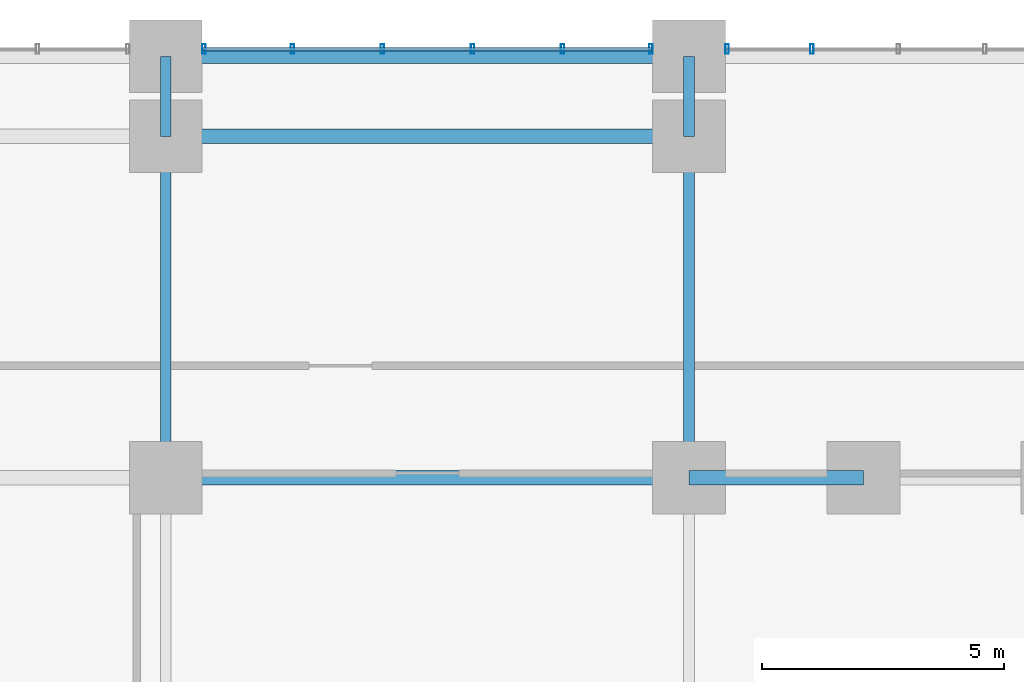
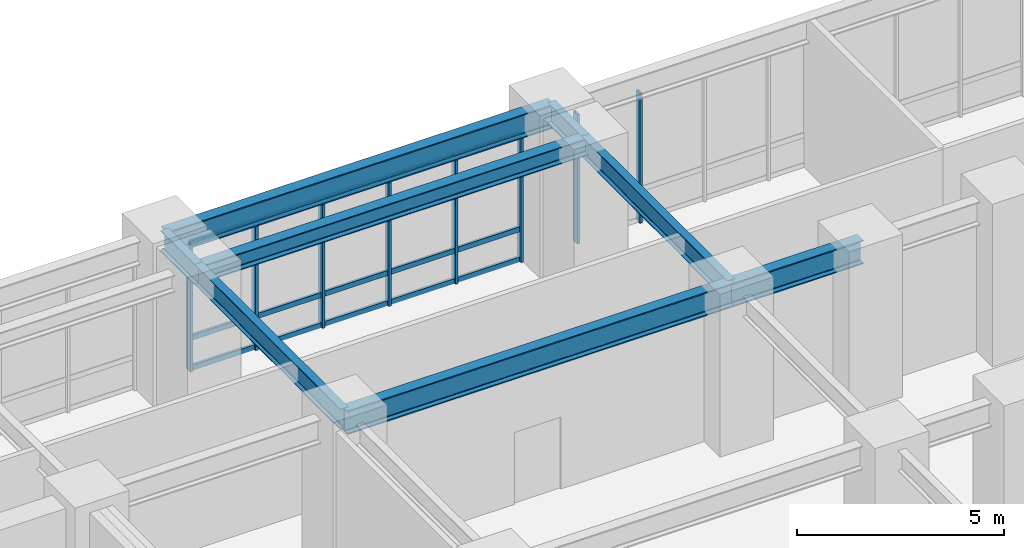
# One storey, part 8 of 22: 11 members, 8 beams, 2 elements without a shape of their own.
"""IFC4 building model written with IfcOpenShell, lengths in metres."""

import ifcopenshell
import ifcopenshell.guid

model = None  # the IFC model being written
_history = None  # IfcOwnerHistory: only IFC2X3 demands one
_inside = {}  # id of a spatial element -> (the spatial element, [elements in it])
_under = {}  # id of a project, library or spatial element -> (it, [spatial elements below it])
_declared = {}  # id of a project -> (the project, [libraries it declares])
_typed = {}  # id of a type object -> (the type object, [elements of that type])
_made_of = {}  # id of a material, layer set ... -> (it, [elements and type objects made of it])


def new_model(schema):
    """Start an empty IFC model of exactly this schema.

    Asked for "IFC4X3", IfcOpenShell would pick the latest addendum, in which some entities
    have other attributes; the version numbers below select the first issue.
    IFC2X3 requires an IfcOwnerHistory on every rooted entity: one is made here for all.
    """
    global model, _history
    if schema == "IFC4X3":
        model = ifcopenshell.file(schema_version=(4, 3, 0, 0))
    else:
        model = ifcopenshell.file(schema=schema)
    _inside.clear()
    _under.clear()
    _declared.clear()
    _typed.clear()
    _made_of.clear()
    _history = None
    if model.schema == "IFC2X3":
        org = make("IfcOrganization", Name="unknown")
        user = make(
            "IfcPersonAndOrganization",
            ThePerson=make("IfcPerson", FamilyName="unknown"),
            TheOrganization=org,
        )
        app = make(
            "IfcApplication",
            ApplicationDeveloper=org,
            Version="unknown",
            ApplicationFullName="unknown",
            ApplicationIdentifier="unknown",
        )
        _history = make(
            "IfcOwnerHistory",
            OwningUser=user,
            OwningApplication=app,
            ChangeAction="ADDED",
            CreationDate=0,
        )
    return model


def make(cls, **values):
    """One entity of the class cls with the attributes given. An attribute that is None is left unset."""
    return model.create_entity(
        cls, **{name: value for name, value in values.items() if value is not None}
    )


def rooted(cls, **values):
    """An entity with a GlobalId (a new one), such as an element, a storey or a relation."""
    return make(cls, GlobalId=ifcopenshell.guid.new(), OwnerHistory=_history, **values)


def si_unit(unit_type, name, prefix=None):
    """IfcSIUnit, for example si_unit("LENGTHUNIT", "METRE", prefix="MILLI")."""
    return make("IfcSIUnit", UnitType=unit_type, Prefix=prefix, Name=name)


def assignment(units):
    """IfcUnitAssignment: the units of a project."""
    return None if units is None else make("IfcUnitAssignment", Units=units)


def point(xyz):
    """IfcCartesianPoint."""
    return None if xyz is None else make("IfcCartesianPoint", Coordinates=xyz)


def direction(xyz):
    """IfcDirection."""
    return None if xyz is None else make("IfcDirection", DirectionRatios=xyz)


def frame(location, z_axis=None, x_axis=None):
    """IfcAxis2Placement3D, a coordinate frame: its origin and axes. An axis left out is left unset."""
    return make(
        "IfcAxis2Placement3D",
        Location=point(location),
        Axis=direction(z_axis),
        RefDirection=direction(x_axis),
    )


def frame_2d(location, x_axis=None):
    """IfcAxis2Placement2D, a coordinate frame in the plane: its origin and x axis."""
    return make(
        "IfcAxis2Placement2D", Location=point(location), RefDirection=direction(x_axis)
    )


def origin():
    """The frame at (0, 0, 0) with its axes left unset."""
    return frame((0.0, 0.0, 0.0))


def origin_2d():
    """The frame at (0, 0) in the plane with its x axis left unset."""
    return frame_2d((0.0, 0.0))


def place(relative_to, where):
    """IfcLocalPlacement: puts the frame where relative to a parent placement (None: the world)."""
    return make(
        "IfcLocalPlacement", PlacementRelTo=relative_to, RelativePlacement=where
    )


def context(
    kind, dimensions, precision=None, world=None, true_north=None, identifier=None
):
    """IfcGeometricRepresentationContext, for example the 3D "Model" context."""
    return make(
        "IfcGeometricRepresentationContext",
        ContextIdentifier=identifier,
        ContextType=kind,
        CoordinateSpaceDimension=dimensions,
        Precision=precision,
        WorldCoordinateSystem=world,
        TrueNorth=true_north,
    )


def subcontext(parent, identifier, kind, view, scale=None):
    """IfcGeometricRepresentationSubContext, for example "Body" below "Model"."""
    return make(
        "IfcGeometricRepresentationSubContext",
        ContextIdentifier=identifier,
        ContextType=kind,
        ParentContext=parent,
        TargetScale=scale,
        TargetView=view,
    )


def project(units=None, contexts=None):
    """IfcProject with its units and contexts."""
    return rooted(
        "IfcProject",
        Name="project",
        RepresentationContexts=contexts,
        UnitsInContext=assignment(units),
    )


def spatial(cls, under=None, at=None, **own):
    """A site, building, storey or space (cls), placed at a placement, below another one or the project."""
    s = rooted(cls, ObjectPlacement=at, **own)
    if under is not None:
        _under.setdefault(under.id(), (under, []))[1].append(s)
    return s


def profile(cls, at=None, kind="AREA", **sizes):
    """A parametric profile (cls). Its sizes go by their IFC names, for example OverallWidth=200.0."""
    return make(cls, ProfileType=kind, Position=at, **sizes)


def hollow_rectangle(**sizes):
    """IfcRectangleHollowProfileDef."""
    return profile("IfcRectangleHollowProfileDef", **sizes)


def i_section(**sizes):
    """IfcIShapeProfileDef."""
    return profile("IfcIShapeProfileDef", **sizes)


def extrude(swept, where, along, depth):
    """IfcExtrudedAreaSolid: the profile swept, set in the frame where, extruded along a direction by depth."""
    return make(
        "IfcExtrudedAreaSolid",
        SweptArea=swept,
        Position=where,
        ExtrudedDirection=direction(along),
        Depth=depth,
    )


def shape(context_of_items, identifier, shape_type, items):
    """IfcShapeRepresentation: the items that make up one representation, for example the "Body"."""
    return make(
        "IfcShapeRepresentation",
        ContextOfItems=context_of_items,
        RepresentationIdentifier=identifier,
        RepresentationType=shape_type,
        Items=items,
    )


def source(mapping_origin, context_of_items, identifier, shape_type, items):
    """IfcRepresentationMap: a shape defined once, which mapped items show again and again."""
    return make(
        "IfcRepresentationMap",
        MappingOrigin=mapping_origin,
        MappedRepresentation=shape(context_of_items, identifier, shape_type, items),
    )


def transform(
    local_origin,
    x_axis=None,
    y_axis=None,
    z_axis=None,
    scale=None,
    scale2=None,
    scale3=None,
    uniform=True,
):
    """IfcCartesianTransformationOperator3D, or its non-uniform kind. x_axis, y_axis, z_axis: its Axis1, 2, 3."""
    if uniform:
        return make(
            "IfcCartesianTransformationOperator3D",
            Axis1=direction(x_axis),
            Axis2=direction(y_axis),
            LocalOrigin=point(local_origin),
            Scale=scale,
            Axis3=direction(z_axis),
        )
    return make(
        "IfcCartesianTransformationOperator3DnonUniform",
        Axis1=direction(x_axis),
        Axis2=direction(y_axis),
        LocalOrigin=point(local_origin),
        Scale=scale,
        Axis3=direction(z_axis),
        Scale2=scale2,
        Scale3=scale3,
    )


def mapped(mapping_source, mapping_target):
    """IfcMappedItem: shows the shape of a source again, moved by a transform."""
    return make(
        "IfcMappedItem", MappingSource=mapping_source, MappingTarget=mapping_target
    )


def material(Name=None, Category=None):
    """IfcMaterial."""
    return make("IfcMaterial", Name=Name, Category=Category)


def layer(
    of_material, thickness, ventilated=None, Name=None, Category=None, Priority=None
):
    """IfcMaterialLayer: one layer of a wall or slab, of a material (None: an air gap)."""
    return make(
        "IfcMaterialLayer",
        Material=of_material,
        LayerThickness=thickness,
        IsVentilated=ventilated,
        Name=Name,
        Category=Category,
        Priority=Priority,
    )


def layer_set(layers, Name=None):
    """IfcMaterialLayerSet."""
    return make("IfcMaterialLayerSet", MaterialLayers=layers, LayerSetName=Name)


def material_profile(
    of_material, cross_section, Name=None, Category=None, Priority=None
):
    """IfcMaterialProfile: a cross section and its material."""
    return make(
        "IfcMaterialProfile",
        Name=Name,
        Material=of_material,
        Profile=cross_section,
        Priority=Priority,
        Category=Category,
    )


def profile_set(profiles, Name=None, composite=None):
    """IfcMaterialProfileSet."""
    return make(
        "IfcMaterialProfileSet",
        Name=Name,
        MaterialProfiles=profiles,
        CompositeProfile=composite,
    )


def made_of(thing, what):
    """Note that an element or type object is made of a material, layer set ...; save() writes the relation."""
    if what is not None:
        _made_of.setdefault(what.id(), (what, []))[1].append(thing)
    return thing


def type_object(cls, material=None, **own):
    """A type object (cls), such as IfcWallType, which elements share."""
    return made_of(rooted(cls, **own), material)


def element(
    cls,
    number,
    at=None,
    inside=None,
    cuts=None,
    type_object=None,
    material=None,
    context=None,
    identifier="Body",
    shape_type=None,
    held_by="IfcProductDefinitionShape",
    body=None,
    shapes=None,
    **own,
):
    """One element of the class cls, such as IfcWall. Its Tag is "e" and its number.

    at: its placement. inside: the storey or other place that contains it. cuts: it is an
    opening in that element (IfcRelVoidsElement). A single representation is given by context,
    identifier, shape_type and body (its items); several are given by shapes. held_by: the class
    of the entity that holds the representations. save() writes the other relations.
    """
    e = rooted(cls, Tag="e%d" % number, ObjectPlacement=at, **own)
    if body is not None:
        shapes = [shape(context, identifier, shape_type, body)]
    if shapes is not None:
        e.Representation = make(held_by, Representations=shapes)
    if inside is not None:
        _inside.setdefault(inside.id(), (inside, []))[1].append(e)
    if cuts is not None:
        rooted(
            "IfcRelVoidsElement", RelatingBuildingElement=cuts, RelatedOpeningElement=e
        )
    if type_object is not None:
        _typed.setdefault(type_object.id(), (type_object, []))[1].append(e)
    return made_of(e, material)


def aggregate(whole, parts):
    """IfcRelAggregates: a whole, such as a stair, and the parts it consists of."""
    return rooted("IfcRelAggregates", RelatingObject=whole, RelatedObjects=parts)


def save(model, path):
    """Write the relations noted so far, then the file.

    IfcRelAggregates (storeys below a building ...), IfcRelContainedInSpatialStructure (elements
    in a storey), IfcRelDefinesByType, IfcRelAssociatesMaterial and IfcRelDeclares: one each for
    every whole, place, type object, material and project.
    """
    for whole, parts in _under.values():
        aggregate(whole, parts)
    for where, things in _inside.values():
        rooted(
            "IfcRelContainedInSpatialStructure",
            RelatedElements=things,
            RelatingStructure=where,
        )
    for kind, things in _typed.values():
        rooted("IfcRelDefinesByType", RelatedObjects=things, RelatingType=kind)
    for what, things in _made_of.values():
        rooted("IfcRelAssociatesMaterial", RelatedObjects=things, RelatingMaterial=what)
    for by, libraries in _declared.values():
        rooted("IfcRelDeclares", RelatingContext=by, RelatedDefinitions=libraries)
    model.write(path)


model = new_model("IFC4")

# Units and contexts
model_context = context("Model", 3, precision=1e-05, world=origin(), true_north=direction((0.0, 1.0)))
body_context = subcontext(model_context, "Body", "Model", "MODEL_VIEW")
ifc_project = project(units=[si_unit("LENGTHUNIT", "METRE"), si_unit("AREAUNIT", "SQUARE_METRE"), si_unit("VOLUMEUNIT", "CUBIC_METRE"), si_unit("PLANEANGLEUNIT", "RADIAN"), si_unit("MASSUNIT", "GRAM", prefix="KILO")], contexts=[model_context])

# Site, building, storey
site_placement = place(None, origin())
site = spatial("IfcSite", under=ifc_project, at=site_placement, CompositionType="ELEMENT")
building_placement = place(site_placement, origin())
building = spatial("IfcBuilding", under=site, at=building_placement, Name="Kaliganga Portal Commons", CompositionType="ELEMENT")
storey_placement = place(building_placement, frame((0.0, 0.0, 5.39990234375)))
storey = spatial("IfcBuildingStorey", under=building, at=storey_placement, Name="L01", CompositionType="ELEMENT", Elevation=5.39990234375)

# Beams
ifc_material_1 = material(Name="Structural steel S355J2", Category="steel")
ifc_material_profile_1 = material_profile(ifc_material_1, i_section(OverallWidth=0.300048828125, OverallDepth=0.699951171875, WebThickness=0.01708984375, FlangeThickness=0.031982421875, FilletRadius=0.027099609375, at=origin_2d()), Name="HE 700 B")
ifc_profile_set_1 = profile_set([ifc_material_profile_1], Name="Structural steel S355J2 wide-flange")
beam_type_1 = type_object("IfcBeamType", Name="BM-GIRD-700", PredefinedType="USERDEFINED", material=ifc_profile_set_1)
shared_shape_1 = source(origin(), body_context, "Body", "SweptSolid", [
    extrude(i_section(OverallWidth=0.300048828125, OverallDepth=0.699951171875, WebThickness=0.01708984375, FlangeThickness=0.031982421875, FilletRadius=0.027099609375, at=origin_2d()), origin(), (0.0, 0.0, 1.0), 10.800048828125),
])
for number, where, z_axis, x_axis, name in (
    (1, (36.0, 36.14990234375, 4.170166015625), (1.0, 0.0, 0.0), (0.0, 1.0, 0.0), "BM G L01 WAE_N 2"),
    (2, (36.0, 44.85009765625, 4.170166015625), (1.0, 0.0, 0.0), (0.0, 1.0, 0.0), "BM PODP L01 N44 4"),
):
    element("IfcBeam", number, at=place(storey_placement, frame(where, z_axis=z_axis, x_axis=x_axis)), inside=storey, type_object=beam_type_1, Name=name, ObjectType="GIRDER", PredefinedType="USERDEFINED", context=body_context, shape_type="MappedRepresentation", body=[
        mapped(shared_shape_1, transform((0.0, 0.0, 0.0), x_axis=(1.0, 0.0, 0.0), y_axis=(0.0, 1.0, 0.0), z_axis=(0.0, 0.0, 1.0), scale=1.0)),
    ])
ifc_material_profile_2 = material_profile(ifc_material_1, i_section(OverallWidth=0.219970703125, OverallDepth=0.60009765625, WebThickness=0.011962890625, FlangeThickness=0.01904296875, FilletRadius=0.02392578125, at=origin_2d()), Name="IPE 600")
ifc_profile_set_2 = profile_set([ifc_material_profile_2], Name="Structural steel S355J2 wide-flange")
beam_type_2 = type_object("IfcBeamType", Name="BM-FLR-600", PredefinedType="BEAM", material=ifc_profile_set_2)
shared_shape_2 = source(origin(), body_context, "Body", "SweptSolid", [
    extrude(i_section(OverallWidth=0.219970703125, OverallDepth=0.60009765625, WebThickness=0.011962890625, FlangeThickness=0.01904296875, FilletRadius=0.02392578125, at=origin_2d()), origin(), (0.0, 0.0, 1.0), 7.050048828125),
])
for number, where, z_axis, x_axis, name in (
    (3, (36.0, 36.14990234375, 4.22021484375), (0.0, 1.0, 0.0), (-1.0, 0.0, 0.0), "BM G L01 AN360"),
    (4, (46.800048828125, 36.14990234375, 4.22021484375), (0.0, 1.0, 0.0), (-1.0, 0.0, 0.0), "BM G L01 AN468"),
):
    element("IfcBeam", number, at=place(storey_placement, frame(where, z_axis=z_axis, x_axis=x_axis)), inside=storey, type_object=beam_type_2, Name=name, PredefinedType="BEAM", context=body_context, shape_type="MappedRepresentation", body=[
        mapped(shared_shape_2, transform((0.0, 0.0, 0.0), x_axis=(1.0, 0.0, 0.0), y_axis=(0.0, 1.0, 0.0), z_axis=(0.0, 0.0, 1.0), scale=1.0)),
    ])
shared_shape_3 = source(origin(), body_context, "Body", "SweptSolid", [
    extrude(i_section(OverallWidth=0.300048828125, OverallDepth=0.699951171875, WebThickness=0.01708984375, FlangeThickness=0.031982421875, FilletRadius=0.027099609375, at=origin_2d()), origin(), (0.0, 0.0, 1.0), 3.599853515625),
])
beam_1_placement = place(storey_placement, frame((46.800048828125, 36.14990234375, 4.170166015625), z_axis=(1.0, 0.0, 0.0), x_axis=(0.0, 1.0, 0.0)))
element("IfcBeam", 5, at=beam_1_placement, inside=storey, type_object=beam_type_1, Name="BM G L01 BKE362 1", ObjectType="GIRDER", PredefinedType="USERDEFINED", context=body_context, shape_type="MappedRepresentation", body=[
    mapped(shared_shape_3, transform((0.0, 0.0, 0.0), x_axis=(1.0, 0.0, 0.0), y_axis=(0.0, 1.0, 0.0), z_axis=(0.0, 0.0, 1.0), scale=1.0)),
])
shared_shape_4 = source(origin(), body_context, "Body", "SweptSolid", [
    extrude(i_section(OverallWidth=0.219970703125, OverallDepth=0.60009765625, WebThickness=0.011962890625, FlangeThickness=0.01904296875, FilletRadius=0.02392578125, at=origin_2d()), origin(), (0.0, 0.0, 1.0), 1.650146484375),
])
for number, where, z_axis, x_axis, name in (
    (6, (36.0, 43.199951171875, 4.22021484375), (0.0, 1.0, 0.0), (-1.0, 0.0, 0.0), "BM PODP L01 NT36"),
    (7, (46.800048828125, 43.199951171875, 4.22021484375), (0.0, 1.0, 0.0), (-1.0, 0.0, 0.0), "BM PODP L01 NT46"),
):
    element("IfcBeam", number, at=place(storey_placement, frame(where, z_axis=z_axis, x_axis=x_axis)), inside=storey, type_object=beam_type_2, Name=name, PredefinedType="BEAM", context=body_context, shape_type="MappedRepresentation", body=[
        mapped(shared_shape_4, transform((0.0, 0.0, 0.0), x_axis=(1.0, 0.0, 0.0), y_axis=(0.0, 1.0, 0.0), z_axis=(0.0, 0.0, 1.0), scale=1.0)),
    ])
ifc_material_profile_3 = material_profile(ifc_material_1, i_section(OverallWidth=0.300048828125, OverallDepth=0.5, WebThickness=0.014404296875, FlangeThickness=0.028076171875, FilletRadius=0.027099609375, at=origin_2d()), Name="HE 500 B")
ifc_profile_set_3 = profile_set([ifc_material_profile_3], Name="Structural steel S355J2 wide-flange")
beam_type_3 = type_object("IfcBeamType", Name="BM-SPAND-500", PredefinedType="SPANDREL", material=ifc_profile_set_3)
shared_shape_5 = source(origin(), body_context, "Body", "SweptSolid", [
    extrude(i_section(OverallWidth=0.300048828125, OverallDepth=0.5, WebThickness=0.014404296875, FlangeThickness=0.028076171875, FilletRadius=0.027099609375, at=origin_2d()), origin(), (0.0, 0.0, 1.0), 10.800048828125),
])
beam_2_placement = place(storey_placement, frame((36.0, 43.199951171875, 4.27001953125), z_axis=(1.0, 0.0, 0.0), x_axis=(0.0, 1.0, 0.0)))
element("IfcBeam", 8, at=beam_2_placement, inside=storey, type_object=beam_type_3, Name="BM SP L01 AN 4", PredefinedType="SPANDREL", context=body_context, shape_type="MappedRepresentation", body=[
    mapped(shared_shape_5, transform((0.0, 0.0, 0.0), x_axis=(1.0, 0.0, 0.0), y_axis=(0.0, 1.0, 0.0), z_axis=(0.0, 0.0, 1.0), scale=1.0)),
])

# Curtain wall, members
ifc_material_2 = material(Name="Anodized Aluminium and Laminated Low-E Glass", Category="aluminium")
ifc_layer = layer(ifc_material_2, 0.219970703125)
ifc_layer_set = layer_set([ifc_layer], Name="Anodized Aluminium and Laminated Low-E Glass")
curtain_wall_type = type_object("IfcCurtainWallType", Name="CW-SYS-01", PredefinedType="NOTDEFINED", material=ifc_layer_set)
curtain_wall_1_placement = place(storey_placement, origin())
curtain_wall_1 = element("IfcCurtainWall", 9, at=curtain_wall_1_placement, inside=storey, type_object=curtain_wall_type, Name="CW 01 L01 P1E02S4", PredefinedType="NOTDEFINED")
ifc_material_3 = material(Name="Dark Bronze Anodized Aluminium", Category="aluminium")
ifc_material_profile_4 = material_profile(ifc_material_3, hollow_rectangle(XDim=0.070068359375, YDim=0.14990234375, WallThickness=0.00341796875, at=origin_2d()), Name="ALU TRAN 70x150x3.5")
ifc_profile_set_4 = profile_set([ifc_material_profile_4], Name="Dark Bronze Anodized Aluminium")
member_type_1 = type_object("IfcMemberType", Name="CW-TRN-150", PredefinedType="USERDEFINED", material=ifc_profile_set_4)
shared_shape_6 = source(origin(), body_context, "Body", "SweptSolid", [
    extrude(hollow_rectangle(XDim=0.070068359375, YDim=0.14990234375, WallThickness=0.00341796875, at=origin_2d()), origin(), (0.0, 0.0, 1.0), 9.258056640625),
])
member_1_placement = place(storey_placement, frame((46.029052734375, 45.0, 0.06005859375), z_axis=(-1.0, 0.0, 0.0), x_axis=(0.0, -1.0, 0.0)))
member_1 = element("IfcMember", 10, at=member_1_placement, type_object=member_type_1, Name="CW:01:L01:P1E02S4 Transom 1", ObjectType="TRANSOM", PredefinedType="USERDEFINED", context=body_context, shape_type="MappedRepresentation", body=[
    mapped(shared_shape_6, transform((0.0, 0.0, 0.0), x_axis=(1.0, 0.0, 0.0), y_axis=(0.0, 1.0, 0.0), z_axis=(0.0, 0.0, 1.0), scale=1.0)),
])
member_2_placement = place(storey_placement, frame((46.029052734375, 45.0, 0.9501953125), z_axis=(-1.0, 0.0, 0.0), x_axis=(0.0, -1.0, 0.0)))
member_2 = element("IfcMember", 11, at=member_2_placement, type_object=member_type_1, Name="CW:01:L01:P1E02S4 Transom 2", ObjectType="TRANSOM", PredefinedType="USERDEFINED", context=body_context, shape_type="MappedRepresentation", body=[
    mapped(shared_shape_6, transform((0.0, 0.0, 0.0), x_axis=(1.0, 0.0, 0.0), y_axis=(0.0, 1.0, 0.0), z_axis=(0.0, 0.0, 1.0), scale=1.0)),
])
member_3_placement = place(storey_placement, frame((46.029052734375, 45.0, 3.739990234375), z_axis=(-1.0, 0.0, 0.0), x_axis=(0.0, -1.0, 0.0)))
member_3 = element("IfcMember", 12, at=member_3_placement, type_object=member_type_1, Name="CW:01:L01:P1E02S4 Transom 3", ObjectType="TRANSOM", PredefinedType="USERDEFINED", context=body_context, shape_type="MappedRepresentation", body=[
    mapped(shared_shape_6, transform((0.0, 0.0, 0.0), x_axis=(1.0, 0.0, 0.0), y_axis=(0.0, 1.0, 0.0), z_axis=(0.0, 0.0, 1.0), scale=1.0)),
])

curtain_wall_2_placement = place(storey_placement, origin())
curtain_wall_2 = element("IfcCurtainWall", 13, at=curtain_wall_2_placement, inside=storey, type_object=curtain_wall_type, Name="CW 01 L01 P1E02S3", PredefinedType="NOTDEFINED")
ifc_material_profile_5 = material_profile(ifc_material_3, hollow_rectangle(XDim=0.070068359375, YDim=0.199951171875, WallThickness=0.00390625, at=origin_2d()), Name="ALU MULL 70x200x4")
ifc_profile_set_5 = profile_set([ifc_material_profile_5], Name="Dark Bronze Anodized Aluminium")
member_type_2 = type_object("IfcMemberType", Name="CW-MUL-220", PredefinedType="MULLION", material=ifc_profile_set_5)
shared_shape_7 = source(origin(), body_context, "Body", "SweptSolid", [
    extrude(hollow_rectangle(XDim=0.070068359375, YDim=0.199951171875, WallThickness=0.00390625, at=origin_2d()), origin(), (0.0, 0.0, 1.0), 3.820068359375),
])
member_4_placement = place(storey_placement, frame((49.33642578125, 45.0, 0.0), z_axis=(0.0, 0.0, 1.0), x_axis=(-1.0, 0.0, 0.0)))
member_4 = element("IfcMember", 14, at=member_4_placement, type_object=member_type_2, Name="CW:01:L01:P1E02S3 Mullion 06", PredefinedType="MULLION", context=body_context, shape_type="MappedRepresentation", body=[
    mapped(shared_shape_7, transform((0.0, 0.0, 0.0), x_axis=(1.0, 0.0, 0.0), y_axis=(0.0, 1.0, 0.0), z_axis=(0.0, 0.0, 1.0), scale=1.0)),
])
member_5_placement = place(storey_placement, frame((47.5859375, 45.0, 0.0), z_axis=(0.0, 0.0, 1.0), x_axis=(-1.0, 0.0, 0.0)))
member_5 = element("IfcMember", 15, at=member_5_placement, type_object=member_type_2, Name="CW:01:L01:P1E02S3 Mullion 07", PredefinedType="MULLION", context=body_context, shape_type="MappedRepresentation", body=[
    mapped(shared_shape_7, transform((0.0, 0.0, 0.0), x_axis=(1.0, 0.0, 0.0), y_axis=(0.0, 1.0, 0.0), z_axis=(0.0, 0.0, 1.0), scale=1.0)),
])
aggregate(curtain_wall_2, [member_4, member_5])

# Member
member_6_placement = place(storey_placement, frame((46.013916015625, 45.0, 0.0), z_axis=(0.0, 0.0, 1.0), x_axis=(-1.0, 0.0, 0.0)))
member_6 = element("IfcMember", 16, at=member_6_placement, type_object=member_type_2, Name="CW:01:L01:P1E02S4 Mullion 00", PredefinedType="MULLION", context=body_context, shape_type="MappedRepresentation", body=[
    mapped(shared_shape_7, transform((0.0, 0.0, 0.0), x_axis=(1.0, 0.0, 0.0), y_axis=(0.0, 1.0, 0.0), z_axis=(0.0, 0.0, 1.0), scale=1.0)),
])

member_7_placement = place(storey_placement, frame((44.189453125, 45.0, 0.0), z_axis=(0.0, 0.0, 1.0), x_axis=(-1.0, 0.0, 0.0)))
member_7 = element("IfcMember", 17, at=member_7_placement, type_object=member_type_2, Name="CW:01:L01:P1E02S4 Mullion 01", PredefinedType="MULLION", context=body_context, shape_type="MappedRepresentation", body=[
    mapped(shared_shape_7, transform((0.0, 0.0, 0.0), x_axis=(1.0, 0.0, 0.0), y_axis=(0.0, 1.0, 0.0), z_axis=(0.0, 0.0, 1.0), scale=1.0)),
])

member_8_placement = place(storey_placement, frame((42.329833984375, 45.0, 0.0), z_axis=(0.0, 0.0, 1.0), x_axis=(-1.0, 0.0, 0.0)))
member_8 = element("IfcMember", 18, at=member_8_placement, type_object=member_type_2, Name="CW:01:L01:P1E02S4 Mullion 02", PredefinedType="MULLION", context=body_context, shape_type="MappedRepresentation", body=[
    mapped(shared_shape_7, transform((0.0, 0.0, 0.0), x_axis=(1.0, 0.0, 0.0), y_axis=(0.0, 1.0, 0.0), z_axis=(0.0, 0.0, 1.0), scale=1.0)),
])

member_9_placement = place(storey_placement, frame((40.47021484375, 45.0, 0.0), z_axis=(0.0, 0.0, 1.0), x_axis=(-1.0, 0.0, 0.0)))
member_9 = element("IfcMember", 19, at=member_9_placement, type_object=member_type_2, Name="CW:01:L01:P1E02S4 Mullion 03", PredefinedType="MULLION", context=body_context, shape_type="MappedRepresentation", body=[
    mapped(shared_shape_7, transform((0.0, 0.0, 0.0), x_axis=(1.0, 0.0, 0.0), y_axis=(0.0, 1.0, 0.0), z_axis=(0.0, 0.0, 1.0), scale=1.0)),
])

member_10_placement = place(storey_placement, frame((38.610595703125, 45.0, 0.0), z_axis=(0.0, 0.0, 1.0), x_axis=(-1.0, 0.0, 0.0)))
member_10 = element("IfcMember", 20, at=member_10_placement, type_object=member_type_2, Name="CW:01:L01:P1E02S4 Mullion 04", PredefinedType="MULLION", context=body_context, shape_type="MappedRepresentation", body=[
    mapped(shared_shape_7, transform((0.0, 0.0, 0.0), x_axis=(1.0, 0.0, 0.0), y_axis=(0.0, 1.0, 0.0), z_axis=(0.0, 0.0, 1.0), scale=1.0)),
])

member_11_placement = place(storey_placement, frame((36.785888671875, 45.0, 0.0), z_axis=(0.0, 0.0, 1.0), x_axis=(-1.0, 0.0, 0.0)))
member_11 = element("IfcMember", 21, at=member_11_placement, type_object=member_type_2, Name="CW:01:L01:P1E02S4 Mullion 05", PredefinedType="MULLION", context=body_context, shape_type="MappedRepresentation", body=[
    mapped(shared_shape_7, transform((0.0, 0.0, 0.0), x_axis=(1.0, 0.0, 0.0), y_axis=(0.0, 1.0, 0.0), z_axis=(0.0, 0.0, 1.0), scale=1.0)),
])

aggregate(curtain_wall_1, [member_6, member_7, member_8, member_9, member_10, member_11, member_1, member_2, member_3])

save(model, "model.ifc")
